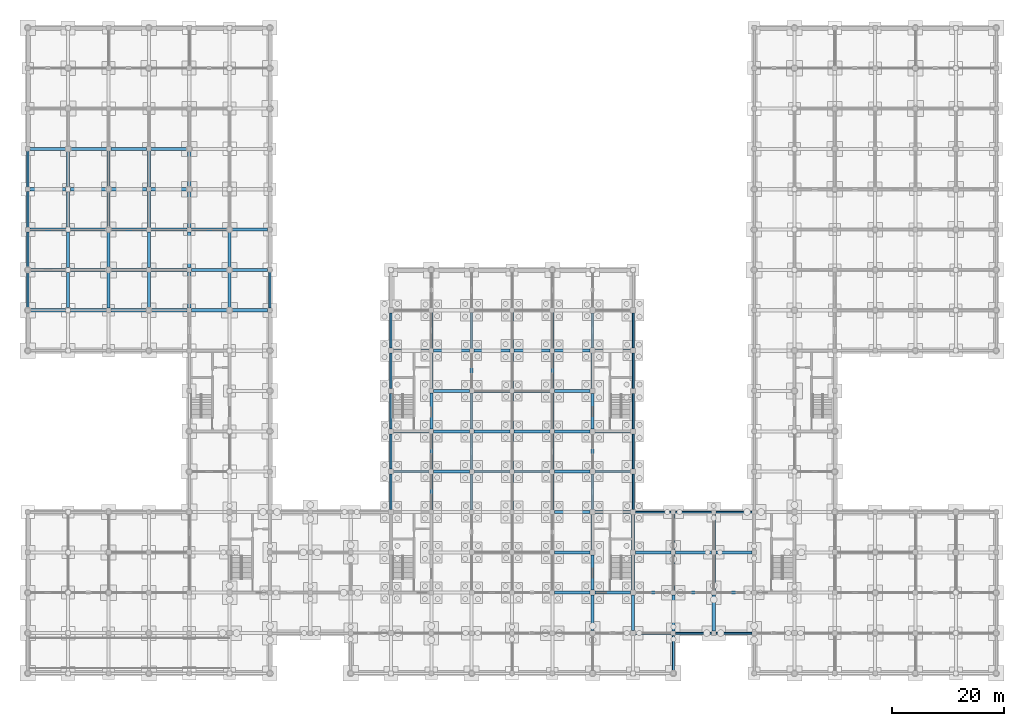
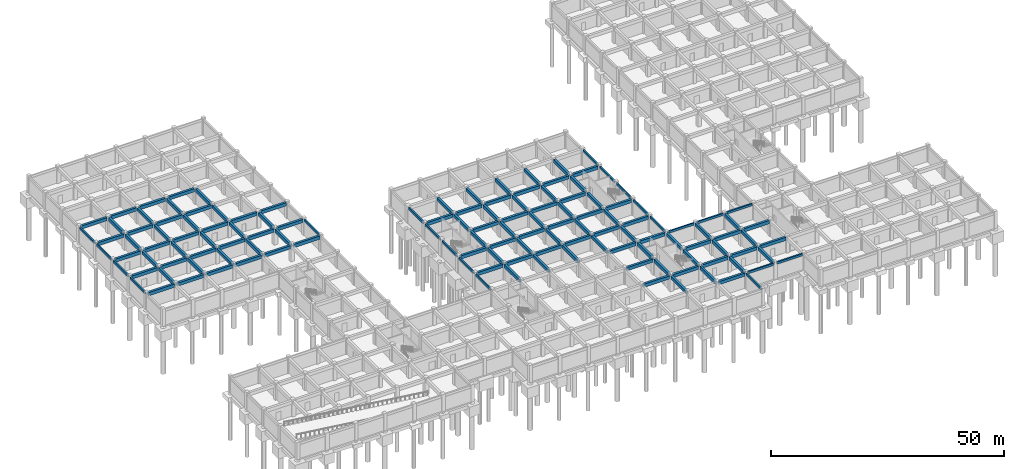
# One storey, part 10 of 25: 136 beams.
"""IFC4 building model written with IfcOpenShell, lengths in metres."""

from ifc_helpers import new_model, si_unit, direction, frame, origin, origin_2d, place, context, subcontext, project, spatial, rectangle, extrude, material, material_profile, profile_set, type_object, element, save


model = new_model("IFC4")

# Units and contexts
model_context = context("Model", 3, precision=1e-05, world=origin(), true_north=direction((0.0, 1.0)))
body_context = subcontext(model_context, "Body", "Model", "MODEL_VIEW")
ifc_project = project(units=[si_unit("LENGTHUNIT", "METRE"), si_unit("AREAUNIT", "SQUARE_METRE"), si_unit("VOLUMEUNIT", "CUBIC_METRE"), si_unit("PLANEANGLEUNIT", "RADIAN"), si_unit("MASSUNIT", "GRAM", prefix="KILO")], contexts=[model_context])

# Site, building, storey
site_placement = place(None, origin())
site = spatial("IfcSite", under=ifc_project, at=site_placement, CompositionType="ELEMENT")
building_placement = place(site_placement, origin())
building = spatial("IfcBuilding", under=site, at=building_placement, Name="Cendaluz Park School", CompositionType="ELEMENT")
storey_placement = place(building_placement, frame((0.0, 0.0, -4.5)))
storey = spatial("IfcBuildingStorey", under=building, at=storey_placement, Name="B1", CompositionType="ELEMENT", Elevation=-4.5)

# Beams
ifc_material = material(Name="Concrete C40/50", Category="concrete")
ifc_material_profile_1 = material_profile(ifc_material, rectangle(XDim=0.550048828125, YDim=0.85009765625, at=origin_2d()), Name="RC 550x850", Category="concrete")
ifc_profile_set_1 = profile_set([ifc_material_profile_1], Name="Concrete C40/50")
beam_type_1 = type_object("IfcBeamType", Name="BM-RC01", PredefinedType="BEAM", material=ifc_profile_set_1)
for number, where, z_axis, x_axis, name in (
    (1, (0.39990234375, 64.800048828125, 3.72509765625), (1.0, 0.0, 0.0), (0.0, 1.0, 0.0), "BM-B1-BMRC01-0007"),
    (2, (0.39990234375, 72.0, 3.72509765625), (1.0, 0.0, 0.0), (0.0, 1.0, 0.0), "BM-B1-BMRC01-0008"),
    (3, (0.39990234375, 79.199951171875, 3.72509765625), (1.0, 0.0, 0.0), (0.0, 1.0, 0.0), "BM-B1-BMRC01-0009"),
    (4, (0.39990234375, 86.39990234375, 3.72509765625), (1.0, 0.0, 0.0), (0.0, 1.0, 0.0), "BM-B1-BMRC01-0010"),
    (5, (0.39990234375, 93.60009765625, 3.72509765625), (1.0, 0.0, 0.0), (0.0, 1.0, 0.0), "BM-B1-BMRC01-0011"),
    (6, (7.64990234375, 64.800048828125, 3.72509765625), (1.0, 0.0, 0.0), (0.0, 1.0, 0.0), "BM-B1-BMRC01-0021"),
    (7, (7.64990234375, 72.0, 3.72509765625), (1.0, 0.0, 0.0), (0.0, 1.0, 0.0), "BM-B1-BMRC01-0022"),
    (8, (7.64990234375, 79.199951171875, 3.72509765625), (1.0, 0.0, 0.0), (0.0, 1.0, 0.0), "BM-B1-BMRC01-0023"),
    (9, (7.64990234375, 86.39990234375, 3.72509765625), (1.0, 0.0, 0.0), (0.0, 1.0, 0.0), "BM-B1-BMRC01-0024"),
    (10, (7.64990234375, 93.60009765625, 3.72509765625), (1.0, 0.0, 0.0), (0.0, 1.0, 0.0), "BM-B1-BMRC01-0025"),
):
    element("IfcBeam", number, at=place(storey_placement, frame(where, z_axis=z_axis, x_axis=x_axis)), inside=storey, type_object=beam_type_1, Name=name, PredefinedType="BEAM", context=body_context, shape_type="SweptSolid", body=[
        extrude(rectangle(XDim=0.550048828125, YDim=0.85009765625, at=origin_2d()), origin(), (0.0, 0.0, 1.0), 6.35009765625),
    ])
for number, where, z_axis, x_axis, name in (
    (11, (14.800048828125, 64.800048828125, 3.72509765625), (1.0, 0.0, 0.0), (0.0, 1.0, 0.0), "BM-B1-BMRC01-0035"),
    (12, (14.800048828125, 72.0, 3.72509765625), (1.0, 0.0, 0.0), (0.0, 1.0, 0.0), "BM-B1-BMRC01-0036"),
    (13, (14.800048828125, 79.199951171875, 3.72509765625), (1.0, 0.0, 0.0), (0.0, 1.0, 0.0), "BM-B1-BMRC01-0037"),
    (14, (14.800048828125, 86.39990234375, 3.72509765625), (1.0, 0.0, 0.0), (0.0, 1.0, 0.0), "BM-B1-BMRC01-0038"),
    (15, (14.800048828125, 93.60009765625, 3.72509765625), (1.0, 0.0, 0.0), (0.0, 1.0, 0.0), "BM-B1-BMRC01-0039"),
    (16, (22.0, 64.800048828125, 3.72509765625), (1.0, 0.0, 0.0), (0.0, 1.0, 0.0), "BM-B1-BMRC01-0049"),
    (17, (22.0, 72.0, 3.72509765625), (1.0, 0.0, 0.0), (0.0, 1.0, 0.0), "BM-B1-BMRC01-0050"),
    (18, (22.0, 79.199951171875, 3.72509765625), (1.0, 0.0, 0.0), (0.0, 1.0, 0.0), "BM-B1-BMRC01-0051"),
    (19, (22.0, 86.39990234375, 3.72509765625), (1.0, 0.0, 0.0), (0.0, 1.0, 0.0), "BM-B1-BMRC01-0052"),
    (20, (22.0, 93.60009765625, 3.72509765625), (1.0, 0.0, 0.0), (0.0, 1.0, 0.0), "BM-B1-BMRC01-0053"),
):
    element("IfcBeam", number, at=place(storey_placement, frame(where, z_axis=z_axis, x_axis=x_axis)), inside=storey, type_object=beam_type_1, Name=name, PredefinedType="BEAM", context=body_context, shape_type="SweptSolid", body=[
        extrude(rectangle(XDim=0.550048828125, YDim=0.85009765625, at=origin_2d()), origin(), (0.0, 0.0, 1.0), 6.39990234375),
    ])
for number, where, z_axis, x_axis, name in (
    (21, (29.199951171875, 64.800048828125, 3.72509765625), (1.0, 0.0, 0.0), (0.0, 1.0, 0.0), "BM-B1-BMRC01-0065"),
    (22, (29.199951171875, 72.0, 3.72509765625), (1.0, 0.0, 0.0), (0.0, 1.0, 0.0), "BM-B1-BMRC01-0066"),
    (23, (29.199951171875, 79.199951171875, 3.72509765625), (1.0, 0.0, 0.0), (0.0, 1.0, 0.0), "BM-B1-BMRC01-0067"),
    (24, (36.449951171875, 64.800048828125, 3.72509765625), (1.0, 0.0, 0.0), (0.0, 1.0, 0.0), "BM-B1-BMRC01-0081"),
    (25, (36.449951171875, 72.0, 3.72509765625), (1.0, 0.0, 0.0), (0.0, 1.0, 0.0), "BM-B1-BMRC01-0082"),
    (26, (36.449951171875, 79.199951171875, 3.72509765625), (1.0, 0.0, 0.0), (0.0, 1.0, 0.0), "BM-B1-BMRC01-0083"),
    (27, (65.25, 36.0, 3.72509765625), (1.0, 0.0, 0.0), (0.0, 1.0, 0.0), "BM-B1-BMRC01-0106"),
    (28, (65.25, 43.199951171875, 3.72509765625), (1.0, 0.0, 0.0), (0.0, 1.0, 0.0), "BM-B1-BMRC01-0107"),
    (29, (65.25, 57.60009765625, 3.72509765625), (1.0, 0.0, 0.0), (0.0, 1.0, 0.0), "BM-B1-BMRC01-0108"),
):
    element("IfcBeam", number, at=place(storey_placement, frame(where, z_axis=z_axis, x_axis=x_axis)), inside=storey, type_object=beam_type_1, Name=name, PredefinedType="BEAM", context=body_context, shape_type="SweptSolid", body=[
        extrude(rectangle(XDim=0.550048828125, YDim=0.85009765625, at=origin_2d()), origin(), (0.0, 0.0, 1.0), 6.35009765625),
    ])
for number, where, z_axis, x_axis, name in (
    (30, (72.39990234375, 36.0, 3.72509765625), (1.0, 0.0, 0.0), (0.0, 1.0, 0.0), "BM-B1-BMRC01-0116"),
    (31, (72.39990234375, 43.199951171875, 3.72509765625), (1.0, 0.0, 0.0), (0.0, 1.0, 0.0), "BM-B1-BMRC01-0117"),
    (32, (72.39990234375, 50.39990234375, 3.72509765625), (1.0, 0.0, 0.0), (0.0, 1.0, 0.0), "BM-B1-BMRC01-0118"),
    (33, (72.39990234375, 57.60009765625, 3.72509765625), (1.0, 0.0, 0.0), (0.0, 1.0, 0.0), "BM-B1-BMRC01-0119"),
):
    element("IfcBeam", number, at=place(storey_placement, frame(where, z_axis=z_axis, x_axis=x_axis)), inside=storey, type_object=beam_type_1, Name=name, PredefinedType="BEAM", context=body_context, shape_type="SweptSolid", body=[
        extrude(rectangle(XDim=0.550048828125, YDim=0.85009765625, at=origin_2d()), origin(), (0.0, 0.0, 1.0), 6.400146484375),
    ])
for number, where, z_axis, x_axis, name in (
    (34, (79.60009765625, 36.0, 3.72509765625), (1.0, 0.0, 0.0), (0.0, 1.0, 0.0), "BM-B1-BMRC01-0127"),
    (35, (79.60009765625, 43.199951171875, 3.72509765625), (1.0, 0.0, 0.0), (0.0, 1.0, 0.0), "BM-B1-BMRC01-0128"),
    (36, (79.60009765625, 50.39990234375, 3.72509765625), (1.0, 0.0, 0.0), (0.0, 1.0, 0.0), "BM-B1-BMRC01-0129"),
    (37, (79.60009765625, 57.60009765625, 3.72509765625), (1.0, 0.0, 0.0), (0.0, 1.0, 0.0), "BM-B1-BMRC01-0130"),
    (38, (86.800048828125, 36.0, 3.72509765625), (1.0, 0.0, 0.0), (0.0, 1.0, 0.0), "BM-B1-BMRC01-0138"),
    (39, (86.800048828125, 43.199951171875, 3.72509765625), (1.0, 0.0, 0.0), (0.0, 1.0, 0.0), "BM-B1-BMRC01-0139"),
    (40, (86.800048828125, 50.39990234375, 3.72509765625), (1.0, 0.0, 0.0), (0.0, 1.0, 0.0), "BM-B1-BMRC01-0140"),
    (41, (86.800048828125, 57.60009765625, 3.72509765625), (1.0, 0.0, 0.0), (0.0, 1.0, 0.0), "BM-B1-BMRC01-0141"),
):
    element("IfcBeam", number, at=place(storey_placement, frame(where, z_axis=z_axis, x_axis=x_axis)), inside=storey, type_object=beam_type_1, Name=name, PredefinedType="BEAM", context=body_context, shape_type="SweptSolid", body=[
        extrude(rectangle(XDim=0.550048828125, YDim=0.85009765625, at=origin_2d()), origin(), (0.0, 0.0, 1.0), 6.39990234375),
    ])
for number, where, z_axis, x_axis, name in (
    (42, (94.0, 14.39990234375, 3.72509765625), (1.0, 0.0, 0.0), (0.0, 1.0, 0.0), "BM-B1-BMRC01-0146"),
    (43, (94.0, 21.60009765625, 3.72509765625), (1.0, 0.0, 0.0), (0.0, 1.0, 0.0), "BM-B1-BMRC01-0147"),
    (44, (94.0, 28.800048828125, 3.72509765625), (1.0, 0.0, 0.0), (0.0, 1.0, 0.0), "BM-B1-BMRC01-0148"),
    (45, (94.0, 36.0, 3.72509765625), (1.0, 0.0, 0.0), (0.0, 1.0, 0.0), "BM-B1-BMRC01-0149"),
    (46, (94.0, 43.199951171875, 3.72509765625), (1.0, 0.0, 0.0), (0.0, 1.0, 0.0), "BM-B1-BMRC01-0150"),
    (47, (94.0, 50.39990234375, 3.72509765625), (1.0, 0.0, 0.0), (0.0, 1.0, 0.0), "BM-B1-BMRC01-0151"),
    (48, (94.0, 57.60009765625, 3.72509765625), (1.0, 0.0, 0.0), (0.0, 1.0, 0.0), "BM-B1-BMRC01-0152"),
):
    element("IfcBeam", number, at=place(storey_placement, frame(where, z_axis=z_axis, x_axis=x_axis)), inside=storey, type_object=beam_type_1, Name=name, PredefinedType="BEAM", context=body_context, shape_type="SweptSolid", body=[
        extrude(rectangle(XDim=0.550048828125, YDim=0.85009765625, at=origin_2d()), origin(), (0.0, 0.0, 1.0), 6.35009765625),
    ])
for number, where, z_axis, x_axis, name in (
    (49, (101.25, 14.39990234375, 3.72509765625), (1.0, 0.0, 0.0), (0.0, 1.0, 0.0), "BM-B1-BMRC01-0157"),
    (50, (101.25, 28.800048828125, 3.72509765625), (1.0, 0.0, 0.0), (0.0, 1.0, 0.0), "BM-B1-BMRC01-0158"),
    (51, (101.25, 36.0, 3.72509765625), (1.0, 0.0, 0.0), (0.0, 1.0, 0.0), "BM-B1-BMRC01-0159"),
    (52, (101.25, 43.199951171875, 3.72509765625), (1.0, 0.0, 0.0), (0.0, 1.0, 0.0), "BM-B1-BMRC01-0160"),
    (53, (101.25, 57.60009765625, 3.72509765625), (1.0, 0.0, 0.0), (0.0, 1.0, 0.0), "BM-B1-BMRC01-0161"),
):
    element("IfcBeam", number, at=place(storey_placement, frame(where, z_axis=z_axis, x_axis=x_axis)), inside=storey, type_object=beam_type_1, Name=name, PredefinedType="BEAM", context=body_context, shape_type="SweptSolid", body=[
        extrude(rectangle(XDim=0.550048828125, YDim=0.85009765625, at=origin_2d()), origin(), (0.0, 0.0, 1.0), 6.300048828125),
    ])
for number, where, z_axis, x_axis, name in (
    (54, (108.449951171875, 7.199951171875, 3.72509765625), (1.0, 0.0, 0.0), (0.0, 1.0, 0.0), "BM-B1-BMRC01-0165"),
    (55, (108.449951171875, 14.39990234375, 3.72509765625), (1.0, 0.0, 0.0), (0.0, 1.0, 0.0), "BM-B1-BMRC01-0166"),
    (56, (108.449951171875, 21.60009765625, 3.72509765625), (1.0, 0.0, 0.0), (0.0, 1.0, 0.0), "BM-B1-BMRC01-0167"),
):
    element("IfcBeam", number, at=place(storey_placement, frame(where, z_axis=z_axis, x_axis=x_axis)), inside=storey, type_object=beam_type_1, Name=name, PredefinedType="BEAM", context=body_context, shape_type="SweptSolid", body=[
        extrude(rectangle(XDim=0.550048828125, YDim=0.85009765625, at=origin_2d()), origin(), (0.0, 0.0, 1.0), 6.35009765625),
    ])
for number, where, z_axis, x_axis, name in (
    (57, (115.60009765625, 14.39990234375, 3.72509765625), (1.0, 0.0, 0.0), (0.0, 1.0, 0.0), "BM-B1-BMRC01-0170"),
    (58, (115.60009765625, 21.60009765625, 3.72509765625), (1.0, 0.0, 0.0), (0.0, 1.0, 0.0), "BM-B1-BMRC01-0171"),
    (59, (122.800048828125, 14.39990234375, 3.72509765625), (1.0, 0.0, 0.0), (0.0, 1.0, 0.0), "BM-B1-BMRC01-0174"),
    (60, (122.800048828125, 21.60009765625, 3.72509765625), (1.0, 0.0, 0.0), (0.0, 1.0, 0.0), "BM-B1-BMRC01-0175"),
):
    element("IfcBeam", number, at=place(storey_placement, frame(where, z_axis=z_axis, x_axis=x_axis)), inside=storey, type_object=beam_type_1, Name=name, PredefinedType="BEAM", context=body_context, shape_type="SweptSolid", body=[
        extrude(rectangle(XDim=0.550048828125, YDim=0.85009765625, at=origin_2d()), origin(), (0.0, 0.0, 1.0), 6.39990234375),
    ])
for number, where, z_axis, x_axis, name in (
    (61, (7.199951171875, 65.25, 3.72509765625), (0.0, 1.0, 0.0), (-1.0, 0.0, 0.0), "BM-B1-BMRC01-0281"),
    (62, (7.199951171875, 72.449951171875, 3.72509765625), (0.0, 1.0, 0.0), (-1.0, 0.0, 0.0), "BM-B1-BMRC01-0282"),
    (63, (7.199951171875, 79.64990234375, 3.72509765625), (0.0, 1.0, 0.0), (-1.0, 0.0, 0.0), "BM-B1-BMRC01-0283"),
):
    element("IfcBeam", number, at=place(storey_placement, frame(where, z_axis=z_axis, x_axis=x_axis)), inside=storey, type_object=beam_type_1, Name=name, PredefinedType="BEAM", context=body_context, shape_type="SweptSolid", body=[
        extrude(rectangle(XDim=0.550048828125, YDim=0.85009765625, at=origin_2d()), origin(), (0.0, 0.0, 1.0), 6.300048828125),
    ])
beam_1_placement = place(storey_placement, frame((7.199951171875, 86.85009765625, 3.72509765625), z_axis=(0.0, 1.0, 0.0), x_axis=(-1.0, 0.0, 0.0)))
element("IfcBeam", 64, at=beam_1_placement, inside=storey, type_object=beam_type_1, Name="BM-B1-BMRC01-0284", PredefinedType="BEAM", context=body_context, shape_type="SweptSolid", body=[
    extrude(rectangle(XDim=0.550048828125, YDim=0.85009765625, at=origin_2d()), origin(), (0.0, 0.0, 1.0), 6.2998046875),
])
for number, where, z_axis, x_axis, name in (
    (65, (14.39990234375, 65.199951171875, 3.72509765625), (0.0, 1.0, 0.0), (-1.0, 0.0, 0.0), "BM-B1-BMRC01-0293"),
    (66, (14.39990234375, 72.39990234375, 3.72509765625), (0.0, 1.0, 0.0), (-1.0, 0.0, 0.0), "BM-B1-BMRC01-0294"),
):
    element("IfcBeam", number, at=place(storey_placement, frame(where, z_axis=z_axis, x_axis=x_axis)), inside=storey, type_object=beam_type_1, Name=name, PredefinedType="BEAM", context=body_context, shape_type="SweptSolid", body=[
        extrude(rectangle(XDim=0.550048828125, YDim=0.85009765625, at=origin_2d()), origin(), (0.0, 0.0, 1.0), 6.400146484375),
    ])
for number, where, z_axis, x_axis, name in (
    (67, (14.39990234375, 79.60009765625, 3.72509765625), (0.0, 1.0, 0.0), (-1.0, 0.0, 0.0), "BM-B1-BMRC01-0295"),
    (68, (14.39990234375, 86.800048828125, 3.72509765625), (0.0, 1.0, 0.0), (-1.0, 0.0, 0.0), "BM-B1-BMRC01-0296"),
):
    element("IfcBeam", number, at=place(storey_placement, frame(where, z_axis=z_axis, x_axis=x_axis)), inside=storey, type_object=beam_type_1, Name=name, PredefinedType="BEAM", context=body_context, shape_type="SweptSolid", body=[
        extrude(rectangle(XDim=0.550048828125, YDim=0.85009765625, at=origin_2d()), origin(), (0.0, 0.0, 1.0), 6.39990234375),
    ])
for number, where, z_axis, x_axis, name in (
    (69, (21.60009765625, 65.199951171875, 3.72509765625), (0.0, 1.0, 0.0), (-1.0, 0.0, 0.0), "BM-B1-BMRC01-0305"),
    (70, (21.60009765625, 72.39990234375, 3.72509765625), (0.0, 1.0, 0.0), (-1.0, 0.0, 0.0), "BM-B1-BMRC01-0306"),
):
    element("IfcBeam", number, at=place(storey_placement, frame(where, z_axis=z_axis, x_axis=x_axis)), inside=storey, type_object=beam_type_1, Name=name, PredefinedType="BEAM", context=body_context, shape_type="SweptSolid", body=[
        extrude(rectangle(XDim=0.550048828125, YDim=0.85009765625, at=origin_2d()), origin(), (0.0, 0.0, 1.0), 6.400146484375),
    ])
for number, where, z_axis, x_axis, name in (
    (71, (21.60009765625, 79.60009765625, 3.72509765625), (0.0, 1.0, 0.0), (-1.0, 0.0, 0.0), "BM-B1-BMRC01-0307"),
    (72, (21.60009765625, 86.800048828125, 3.72509765625), (0.0, 1.0, 0.0), (-1.0, 0.0, 0.0), "BM-B1-BMRC01-0308"),
):
    element("IfcBeam", number, at=place(storey_placement, frame(where, z_axis=z_axis, x_axis=x_axis)), inside=storey, type_object=beam_type_1, Name=name, PredefinedType="BEAM", context=body_context, shape_type="SweptSolid", body=[
        extrude(rectangle(XDim=0.550048828125, YDim=0.85009765625, at=origin_2d()), origin(), (0.0, 0.0, 1.0), 6.39990234375),
    ])
for number, where, z_axis, x_axis, name in (
    (73, (28.800048828125, 65.199951171875, 3.72509765625), (0.0, 1.0, 0.0), (-1.0, 0.0, 0.0), "BM-B1-BMRC01-0321"),
    (74, (28.800048828125, 72.39990234375, 3.72509765625), (0.0, 1.0, 0.0), (-1.0, 0.0, 0.0), "BM-B1-BMRC01-0322"),
):
    element("IfcBeam", number, at=place(storey_placement, frame(where, z_axis=z_axis, x_axis=x_axis)), inside=storey, type_object=beam_type_1, Name=name, PredefinedType="BEAM", context=body_context, shape_type="SweptSolid", body=[
        extrude(rectangle(XDim=0.550048828125, YDim=0.85009765625, at=origin_2d()), origin(), (0.0, 0.0, 1.0), 6.400146484375),
    ])
for number, where, z_axis, x_axis, name in (
    (75, (28.800048828125, 79.60009765625, 3.72509765625), (0.0, 1.0, 0.0), (-1.0, 0.0, 0.0), "BM-B1-BMRC01-0323"),
    (76, (28.800048828125, 86.800048828125, 3.72509765625), (0.0, 1.0, 0.0), (-1.0, 0.0, 0.0), "BM-B1-BMRC01-0324"),
):
    element("IfcBeam", number, at=place(storey_placement, frame(where, z_axis=z_axis, x_axis=x_axis)), inside=storey, type_object=beam_type_1, Name=name, PredefinedType="BEAM", context=body_context, shape_type="SweptSolid", body=[
        extrude(rectangle(XDim=0.550048828125, YDim=0.85009765625, at=origin_2d()), origin(), (0.0, 0.0, 1.0), 6.39990234375),
    ])
for number, where, z_axis, x_axis, name in (
    (77, (36.0, 65.25, 3.72509765625), (0.0, 1.0, 0.0), (-1.0, 0.0, 0.0), "BM-B1-BMRC01-0337"),
    (78, (36.0, 72.449951171875, 3.72509765625), (0.0, 1.0, 0.0), (-1.0, 0.0, 0.0), "BM-B1-BMRC01-0338"),
):
    element("IfcBeam", number, at=place(storey_placement, frame(where, z_axis=z_axis, x_axis=x_axis)), inside=storey, type_object=beam_type_1, Name=name, PredefinedType="BEAM", context=body_context, shape_type="SweptSolid", body=[
        extrude(rectangle(XDim=0.550048828125, YDim=0.85009765625, at=origin_2d()), origin(), (0.0, 0.0, 1.0), 6.300048828125),
    ])
for number, where, z_axis, x_axis, name in (
    (79, (72.0, 29.199951171875, 3.72509765625), (0.0, 1.0, 0.0), (-1.0, 0.0, 0.0), "BM-B1-BMRC01-0381"),
    (80, (72.0, 36.39990234375, 3.72509765625), (0.0, 1.0, 0.0), (-1.0, 0.0, 0.0), "BM-B1-BMRC01-0382"),
):
    element("IfcBeam", number, at=place(storey_placement, frame(where, z_axis=z_axis, x_axis=x_axis)), inside=storey, type_object=beam_type_1, Name=name, PredefinedType="BEAM", context=body_context, shape_type="SweptSolid", body=[
        extrude(rectangle(XDim=0.550048828125, YDim=0.85009765625, at=origin_2d()), origin(), (0.0, 0.0, 1.0), 6.400146484375),
    ])
for number, where, z_axis, x_axis, name in (
    (81, (72.0, 43.60009765625, 3.72509765625), (0.0, 1.0, 0.0), (-1.0, 0.0, 0.0), "BM-B1-BMRC01-0383"),
    (82, (72.0, 50.800048828125, 3.72509765625), (0.0, 1.0, 0.0), (-1.0, 0.0, 0.0), "BM-B1-BMRC01-0384"),
    (83, (72.0, 58.0, 3.72509765625), (0.0, 1.0, 0.0), (-1.0, 0.0, 0.0), "BM-B1-BMRC01-0385"),
):
    element("IfcBeam", number, at=place(storey_placement, frame(where, z_axis=z_axis, x_axis=x_axis)), inside=storey, type_object=beam_type_1, Name=name, PredefinedType="BEAM", context=body_context, shape_type="SweptSolid", body=[
        extrude(rectangle(XDim=0.550048828125, YDim=0.85009765625, at=origin_2d()), origin(), (0.0, 0.0, 1.0), 6.39990234375),
    ])
for number, where, z_axis, x_axis, name in (
    (84, (79.199951171875, 29.199951171875, 3.72509765625), (0.0, 1.0, 0.0), (-1.0, 0.0, 0.0), "BM-B1-BMRC01-0391"),
    (85, (79.199951171875, 36.39990234375, 3.72509765625), (0.0, 1.0, 0.0), (-1.0, 0.0, 0.0), "BM-B1-BMRC01-0392"),
):
    element("IfcBeam", number, at=place(storey_placement, frame(where, z_axis=z_axis, x_axis=x_axis)), inside=storey, type_object=beam_type_1, Name=name, PredefinedType="BEAM", context=body_context, shape_type="SweptSolid", body=[
        extrude(rectangle(XDim=0.550048828125, YDim=0.85009765625, at=origin_2d()), origin(), (0.0, 0.0, 1.0), 6.400146484375),
    ])
for number, where, z_axis, x_axis, name in (
    (86, (79.199951171875, 43.60009765625, 3.72509765625), (0.0, 1.0, 0.0), (-1.0, 0.0, 0.0), "BM-B1-BMRC01-0393"),
    (87, (79.199951171875, 50.800048828125, 3.72509765625), (0.0, 1.0, 0.0), (-1.0, 0.0, 0.0), "BM-B1-BMRC01-0394"),
    (88, (79.199951171875, 58.0, 3.72509765625), (0.0, 1.0, 0.0), (-1.0, 0.0, 0.0), "BM-B1-BMRC01-0395"),
):
    element("IfcBeam", number, at=place(storey_placement, frame(where, z_axis=z_axis, x_axis=x_axis)), inside=storey, type_object=beam_type_1, Name=name, PredefinedType="BEAM", context=body_context, shape_type="SweptSolid", body=[
        extrude(rectangle(XDim=0.550048828125, YDim=0.85009765625, at=origin_2d()), origin(), (0.0, 0.0, 1.0), 6.39990234375),
    ])
for number, where, z_axis, x_axis, name in (
    (89, (86.39990234375, 29.199951171875, 3.72509765625), (0.0, 1.0, 0.0), (-1.0, 0.0, 0.0), "BM-B1-BMRC01-0401"),
    (90, (86.39990234375, 36.39990234375, 3.72509765625), (0.0, 1.0, 0.0), (-1.0, 0.0, 0.0), "BM-B1-BMRC01-0402"),
):
    element("IfcBeam", number, at=place(storey_placement, frame(where, z_axis=z_axis, x_axis=x_axis)), inside=storey, type_object=beam_type_1, Name=name, PredefinedType="BEAM", context=body_context, shape_type="SweptSolid", body=[
        extrude(rectangle(XDim=0.550048828125, YDim=0.85009765625, at=origin_2d()), origin(), (0.0, 0.0, 1.0), 6.400146484375),
    ])
for number, where, z_axis, x_axis, name in (
    (91, (86.39990234375, 43.60009765625, 3.72509765625), (0.0, 1.0, 0.0), (-1.0, 0.0, 0.0), "BM-B1-BMRC01-0403"),
    (92, (86.39990234375, 50.800048828125, 3.72509765625), (0.0, 1.0, 0.0), (-1.0, 0.0, 0.0), "BM-B1-BMRC01-0404"),
    (93, (86.39990234375, 58.0, 3.72509765625), (0.0, 1.0, 0.0), (-1.0, 0.0, 0.0), "BM-B1-BMRC01-0405"),
):
    element("IfcBeam", number, at=place(storey_placement, frame(where, z_axis=z_axis, x_axis=x_axis)), inside=storey, type_object=beam_type_1, Name=name, PredefinedType="BEAM", context=body_context, shape_type="SweptSolid", body=[
        extrude(rectangle(XDim=0.550048828125, YDim=0.85009765625, at=origin_2d()), origin(), (0.0, 0.0, 1.0), 6.39990234375),
    ])
for number, where, z_axis, x_axis, name in (
    (94, (93.60009765625, 29.199951171875, 3.72509765625), (0.0, 1.0, 0.0), (-1.0, 0.0, 0.0), "BM-B1-BMRC01-0411"),
    (95, (93.60009765625, 36.39990234375, 3.72509765625), (0.0, 1.0, 0.0), (-1.0, 0.0, 0.0), "BM-B1-BMRC01-0412"),
):
    element("IfcBeam", number, at=place(storey_placement, frame(where, z_axis=z_axis, x_axis=x_axis)), inside=storey, type_object=beam_type_1, Name=name, PredefinedType="BEAM", context=body_context, shape_type="SweptSolid", body=[
        extrude(rectangle(XDim=0.550048828125, YDim=0.85009765625, at=origin_2d()), origin(), (0.0, 0.0, 1.0), 6.400146484375),
    ])
for number, where, z_axis, x_axis, name in (
    (96, (93.60009765625, 43.60009765625, 3.72509765625), (0.0, 1.0, 0.0), (-1.0, 0.0, 0.0), "BM-B1-BMRC01-0413"),
    (97, (93.60009765625, 50.800048828125, 3.72509765625), (0.0, 1.0, 0.0), (-1.0, 0.0, 0.0), "BM-B1-BMRC01-0414"),
    (98, (93.60009765625, 58.0, 3.72509765625), (0.0, 1.0, 0.0), (-1.0, 0.0, 0.0), "BM-B1-BMRC01-0415"),
):
    element("IfcBeam", number, at=place(storey_placement, frame(where, z_axis=z_axis, x_axis=x_axis)), inside=storey, type_object=beam_type_1, Name=name, PredefinedType="BEAM", context=body_context, shape_type="SweptSolid", body=[
        extrude(rectangle(XDim=0.550048828125, YDim=0.85009765625, at=origin_2d()), origin(), (0.0, 0.0, 1.0), 6.39990234375),
    ])
beam_2_placement = place(storey_placement, frame((100.800048828125, 7.64990234375, 3.72509765625), z_axis=(0.0, 1.0, 0.0), x_axis=(-1.0, 0.0, 0.0)))
element("IfcBeam", 99, at=beam_2_placement, inside=storey, type_object=beam_type_1, Name="BM-B1-BMRC01-0418", PredefinedType="BEAM", context=body_context, shape_type="SweptSolid", body=[
    extrude(rectangle(XDim=0.550048828125, YDim=0.85009765625, at=origin_2d()), origin(), (0.0, 0.0, 1.0), 6.300048828125),
])
beam_3_placement = place(storey_placement, frame((100.800048828125, 14.85009765625, 3.72509765625), z_axis=(0.0, 1.0, 0.0), x_axis=(-1.0, 0.0, 0.0)))
element("IfcBeam", 100, at=beam_3_placement, inside=storey, type_object=beam_type_1, Name="BM-B1-BMRC01-0419", PredefinedType="BEAM", context=body_context, shape_type="SweptSolid", body=[
    extrude(rectangle(XDim=0.550048828125, YDim=0.85009765625, at=origin_2d()), origin(), (0.0, 0.0, 1.0), 6.2998046875),
])
for number, where, z_axis, x_axis, name in (
    (101, (100.800048828125, 22.050048828125, 3.72509765625), (0.0, 1.0, 0.0), (-1.0, 0.0, 0.0), "BM-B1-BMRC01-0420"),
    (102, (100.800048828125, 29.25, 3.72509765625), (0.0, 1.0, 0.0), (-1.0, 0.0, 0.0), "BM-B1-BMRC01-0421"),
    (103, (100.800048828125, 36.449951171875, 3.72509765625), (0.0, 1.0, 0.0), (-1.0, 0.0, 0.0), "BM-B1-BMRC01-0422"),
    (104, (100.800048828125, 43.64990234375, 3.72509765625), (0.0, 1.0, 0.0), (-1.0, 0.0, 0.0), "BM-B1-BMRC01-0423"),
):
    element("IfcBeam", number, at=place(storey_placement, frame(where, z_axis=z_axis, x_axis=x_axis)), inside=storey, type_object=beam_type_1, Name=name, PredefinedType="BEAM", context=body_context, shape_type="SweptSolid", body=[
        extrude(rectangle(XDim=0.550048828125, YDim=0.85009765625, at=origin_2d()), origin(), (0.0, 0.0, 1.0), 6.300048828125),
    ])
beam_4_placement = place(storey_placement, frame((100.800048828125, 50.85009765625, 3.72509765625), z_axis=(0.0, 1.0, 0.0), x_axis=(-1.0, 0.0, 0.0)))
element("IfcBeam", 105, at=beam_4_placement, inside=storey, type_object=beam_type_1, Name="BM-B1-BMRC01-0424", PredefinedType="BEAM", context=body_context, shape_type="SweptSolid", body=[
    extrude(rectangle(XDim=0.550048828125, YDim=0.85009765625, at=origin_2d()), origin(), (0.0, 0.0, 1.0), 6.2998046875),
])
for number, where, z_axis, x_axis, name in (
    (106, (100.800048828125, 58.050048828125, 3.72509765625), (0.0, 1.0, 0.0), (-1.0, 0.0, 0.0), "BM-B1-BMRC01-0425"),
    (107, (108.0, 7.64990234375, 3.72509765625), (0.0, 1.0, 0.0), (-1.0, 0.0, 0.0), "BM-B1-BMRC01-0428"),
):
    element("IfcBeam", number, at=place(storey_placement, frame(where, z_axis=z_axis, x_axis=x_axis)), inside=storey, type_object=beam_type_1, Name=name, PredefinedType="BEAM", context=body_context, shape_type="SweptSolid", body=[
        extrude(rectangle(XDim=0.550048828125, YDim=0.85009765625, at=origin_2d()), origin(), (0.0, 0.0, 1.0), 6.300048828125),
    ])
beam_5_placement = place(storey_placement, frame((108.0, 14.85009765625, 3.72509765625), z_axis=(0.0, 1.0, 0.0), x_axis=(-1.0, 0.0, 0.0)))
element("IfcBeam", 108, at=beam_5_placement, inside=storey, type_object=beam_type_1, Name="BM-B1-BMRC01-0429", PredefinedType="BEAM", context=body_context, shape_type="SweptSolid", body=[
    extrude(rectangle(XDim=0.550048828125, YDim=0.85009765625, at=origin_2d()), origin(), (0.0, 0.0, 1.0), 6.2998046875),
])
beam_6_placement = place(storey_placement, frame((108.0, 22.050048828125, 3.72509765625), z_axis=(0.0, 1.0, 0.0), x_axis=(-1.0, 0.0, 0.0)))
element("IfcBeam", 109, at=beam_6_placement, inside=storey, type_object=beam_type_1, Name="BM-B1-BMRC01-0430", PredefinedType="BEAM", context=body_context, shape_type="SweptSolid", body=[
    extrude(rectangle(XDim=0.550048828125, YDim=0.85009765625, at=origin_2d()), origin(), (0.0, 0.0, 1.0), 6.300048828125),
])
for number, where, z_axis, x_axis, name in (
    (110, (115.199951171875, 7.60009765625, 3.72509765625), (0.0, 1.0, 0.0), (-1.0, 0.0, 0.0), "BM-B1-BMRC01-0438"),
    (111, (115.199951171875, 14.800048828125, 3.72509765625), (0.0, 1.0, 0.0), (-1.0, 0.0, 0.0), "BM-B1-BMRC01-0439"),
    (112, (115.199951171875, 22.0, 3.72509765625), (0.0, 1.0, 0.0), (-1.0, 0.0, 0.0), "BM-B1-BMRC01-0440"),
    (113, (122.39990234375, 7.60009765625, 3.72509765625), (0.0, 1.0, 0.0), (-1.0, 0.0, 0.0), "BM-B1-BMRC01-0441"),
    (114, (122.39990234375, 14.800048828125, 3.72509765625), (0.0, 1.0, 0.0), (-1.0, 0.0, 0.0), "BM-B1-BMRC01-0442"),
    (115, (122.39990234375, 22.0, 3.72509765625), (0.0, 1.0, 0.0), (-1.0, 0.0, 0.0), "BM-B1-BMRC01-0443"),
):
    element("IfcBeam", number, at=place(storey_placement, frame(where, z_axis=z_axis, x_axis=x_axis)), inside=storey, type_object=beam_type_1, Name=name, PredefinedType="BEAM", context=body_context, shape_type="SweptSolid", body=[
        extrude(rectangle(XDim=0.550048828125, YDim=0.85009765625, at=origin_2d()), origin(), (0.0, 0.0, 1.0), 6.39990234375),
    ])
ifc_material_profile_2 = material_profile(ifc_material, rectangle(XDim=0.35009765625, YDim=0.580078125, at=origin_2d()), Name="RC 350x580", Category="concrete")
ifc_profile_set_2 = profile_set([ifc_material_profile_2], Name="Concrete C40/50")
beam_type_2 = type_object("IfcBeamType", Name="BM-RC04", PredefinedType="LINTEL", material=ifc_profile_set_2)
beam_7_placement = place(storey_placement, frame((108.449951171875, 28.800048828125, 3.860107421875), z_axis=(1.0, 0.0, 0.0), x_axis=(0.0, 1.0, 0.0)))
element("IfcBeam", 116, at=beam_7_placement, inside=storey, type_object=beam_type_2, Name="BM-B1-BMRC04-0168", PredefinedType="LINTEL", context=body_context, shape_type="SweptSolid", body=[
    extrude(rectangle(XDim=0.35009765625, YDim=0.580078125, at=origin_2d()), origin(), (0.0, 0.0, 1.0), 6.35009765625),
])
for number, where, z_axis, x_axis, name in (
    (117, (115.60009765625, 7.199951171875, 3.860107421875), (1.0, 0.0, 0.0), (0.0, 1.0, 0.0), "BM-B1-BMRC04-0169"),
    (118, (115.60009765625, 28.800048828125, 3.860107421875), (1.0, 0.0, 0.0), (0.0, 1.0, 0.0), "BM-B1-BMRC04-0172"),
    (119, (122.800048828125, 7.199951171875, 3.860107421875), (1.0, 0.0, 0.0), (0.0, 1.0, 0.0), "BM-B1-BMRC04-0173"),
    (120, (122.800048828125, 28.800048828125, 3.860107421875), (1.0, 0.0, 0.0), (0.0, 1.0, 0.0), "BM-B1-BMRC04-0176"),
):
    element("IfcBeam", number, at=place(storey_placement, frame(where, z_axis=z_axis, x_axis=x_axis)), inside=storey, type_object=beam_type_2, Name=name, PredefinedType="LINTEL", context=body_context, shape_type="SweptSolid", body=[
        extrude(rectangle(XDim=0.35009765625, YDim=0.580078125, at=origin_2d()), origin(), (0.0, 0.0, 1.0), 6.39990234375),
    ])
for number, where, z_axis, x_axis, name in (
    (121, (0.0, 65.199951171875, 3.860107421875), (0.0, 1.0, 0.0), (-1.0, 0.0, 0.0), "BM-B1-BMRC04-0269"),
    (122, (0.0, 72.39990234375, 3.860107421875), (0.0, 1.0, 0.0), (-1.0, 0.0, 0.0), "BM-B1-BMRC04-0270"),
):
    element("IfcBeam", number, at=place(storey_placement, frame(where, z_axis=z_axis, x_axis=x_axis)), inside=storey, type_object=beam_type_2, Name=name, PredefinedType="LINTEL", context=body_context, shape_type="SweptSolid", body=[
        extrude(rectangle(XDim=0.35009765625, YDim=0.580078125, at=origin_2d()), origin(), (0.0, 0.0, 1.0), 6.400146484375),
    ])
for number, where, z_axis, x_axis, name in (
    (123, (0.0, 79.60009765625, 3.860107421875), (0.0, 1.0, 0.0), (-1.0, 0.0, 0.0), "BM-B1-BMRC04-0271"),
    (124, (0.0, 86.800048828125, 3.860107421875), (0.0, 1.0, 0.0), (-1.0, 0.0, 0.0), "BM-B1-BMRC04-0272"),
):
    element("IfcBeam", number, at=place(storey_placement, frame(where, z_axis=z_axis, x_axis=x_axis)), inside=storey, type_object=beam_type_2, Name=name, PredefinedType="LINTEL", context=body_context, shape_type="SweptSolid", body=[
        extrude(rectangle(XDim=0.35009765625, YDim=0.580078125, at=origin_2d()), origin(), (0.0, 0.0, 1.0), 6.39990234375),
    ])
beam_8_placement = place(storey_placement, frame((43.199951171875, 65.199951171875, 3.860107421875), z_axis=(0.0, 1.0, 0.0), x_axis=(-1.0, 0.0, 0.0)))
element("IfcBeam", 125, at=beam_8_placement, inside=storey, type_object=beam_type_2, Name="BM-B1-BMRC04-0353", PredefinedType="LINTEL", context=body_context, shape_type="SweptSolid", body=[
    extrude(rectangle(XDim=0.35009765625, YDim=0.580078125, at=origin_2d()), origin(), (0.0, 0.0, 1.0), 6.400146484375),
])
for number, where, z_axis, x_axis, name in (
    (126, (64.800048828125, 29.25, 3.860107421875), (0.0, 1.0, 0.0), (-1.0, 0.0, 0.0), "BM-B1-BMRC04-0371"),
    (127, (64.800048828125, 36.449951171875, 3.860107421875), (0.0, 1.0, 0.0), (-1.0, 0.0, 0.0), "BM-B1-BMRC04-0372"),
    (128, (64.800048828125, 43.64990234375, 3.860107421875), (0.0, 1.0, 0.0), (-1.0, 0.0, 0.0), "BM-B1-BMRC04-0373"),
):
    element("IfcBeam", number, at=place(storey_placement, frame(where, z_axis=z_axis, x_axis=x_axis)), inside=storey, type_object=beam_type_2, Name=name, PredefinedType="LINTEL", context=body_context, shape_type="SweptSolid", body=[
        extrude(rectangle(XDim=0.35009765625, YDim=0.580078125, at=origin_2d()), origin(), (0.0, 0.0, 1.0), 6.300048828125),
    ])
beam_9_placement = place(storey_placement, frame((64.800048828125, 50.85009765625, 3.860107421875), z_axis=(0.0, 1.0, 0.0), x_axis=(-1.0, 0.0, 0.0)))
element("IfcBeam", 129, at=beam_9_placement, inside=storey, type_object=beam_type_2, Name="BM-B1-BMRC04-0374", PredefinedType="LINTEL", context=body_context, shape_type="SweptSolid", body=[
    extrude(rectangle(XDim=0.35009765625, YDim=0.580078125, at=origin_2d()), origin(), (0.0, 0.0, 1.0), 6.2998046875),
])
for number, where, z_axis, x_axis, name in (
    (130, (64.800048828125, 58.050048828125, 3.860107421875), (0.0, 1.0, 0.0), (-1.0, 0.0, 0.0), "BM-B1-BMRC04-0375"),
    (131, (108.0, 29.25, 3.860107421875), (0.0, 1.0, 0.0), (-1.0, 0.0, 0.0), "BM-B1-BMRC04-0431"),
    (132, (108.0, 36.449951171875, 3.860107421875), (0.0, 1.0, 0.0), (-1.0, 0.0, 0.0), "BM-B1-BMRC04-0432"),
    (133, (108.0, 43.64990234375, 3.860107421875), (0.0, 1.0, 0.0), (-1.0, 0.0, 0.0), "BM-B1-BMRC04-0433"),
):
    element("IfcBeam", number, at=place(storey_placement, frame(where, z_axis=z_axis, x_axis=x_axis)), inside=storey, type_object=beam_type_2, Name=name, PredefinedType="LINTEL", context=body_context, shape_type="SweptSolid", body=[
        extrude(rectangle(XDim=0.35009765625, YDim=0.580078125, at=origin_2d()), origin(), (0.0, 0.0, 1.0), 6.300048828125),
    ])
beam_10_placement = place(storey_placement, frame((108.0, 50.85009765625, 3.860107421875), z_axis=(0.0, 1.0, 0.0), x_axis=(-1.0, 0.0, 0.0)))
element("IfcBeam", 134, at=beam_10_placement, inside=storey, type_object=beam_type_2, Name="BM-B1-BMRC04-0434", PredefinedType="LINTEL", context=body_context, shape_type="SweptSolid", body=[
    extrude(rectangle(XDim=0.35009765625, YDim=0.580078125, at=origin_2d()), origin(), (0.0, 0.0, 1.0), 6.2998046875),
])
beam_11_placement = place(storey_placement, frame((108.0, 58.050048828125, 3.860107421875), z_axis=(0.0, 1.0, 0.0), x_axis=(-1.0, 0.0, 0.0)))
element("IfcBeam", 135, at=beam_11_placement, inside=storey, type_object=beam_type_2, Name="BM-B1-BMRC04-0435", PredefinedType="LINTEL", context=body_context, shape_type="SweptSolid", body=[
    extrude(rectangle(XDim=0.35009765625, YDim=0.580078125, at=origin_2d()), origin(), (0.0, 0.0, 1.0), 6.300048828125),
])
beam_12_placement = place(storey_placement, frame((115.199951171875, 0.39990234375, 3.860107421875), z_axis=(0.0, 1.0, 0.0), x_axis=(-1.0, 0.0, 0.0)))
element("IfcBeam", 136, at=beam_12_placement, inside=storey, type_object=beam_type_2, Name="BM-B1-BMRC04-0437", PredefinedType="LINTEL", context=body_context, shape_type="SweptSolid", body=[
    extrude(rectangle(XDim=0.35009765625, YDim=0.580078125, at=origin_2d()), origin(), (0.0, 0.0, 1.0), 6.400146484375),
])

save(model, "model.ifc")
